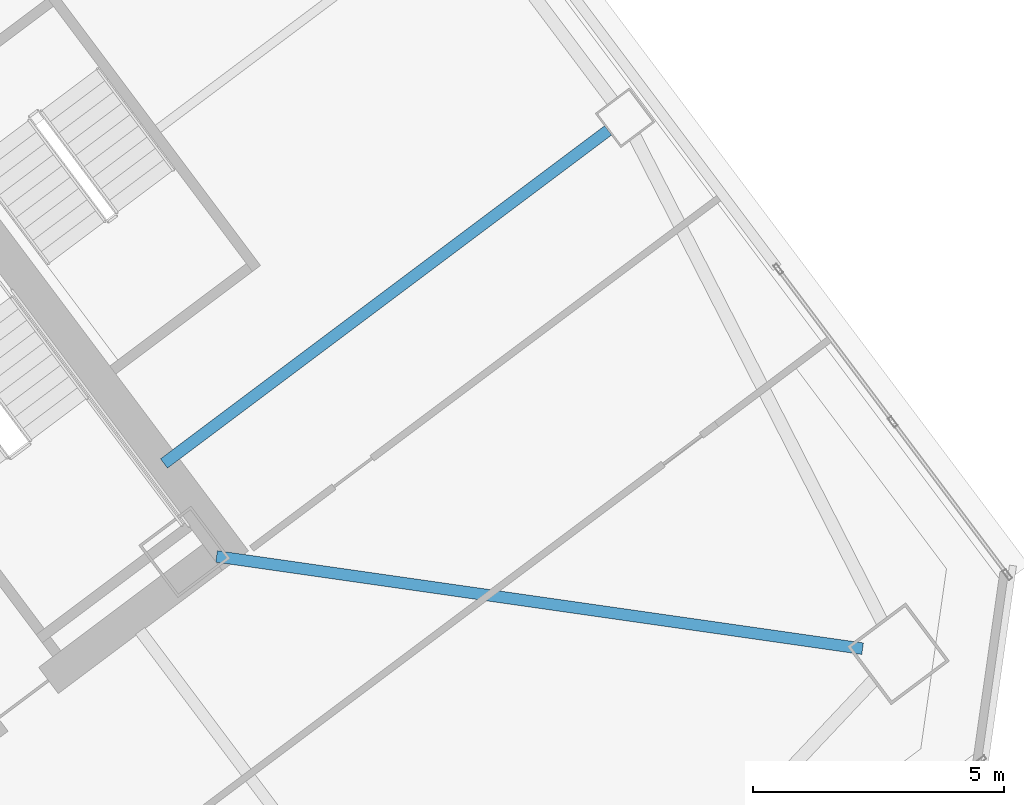
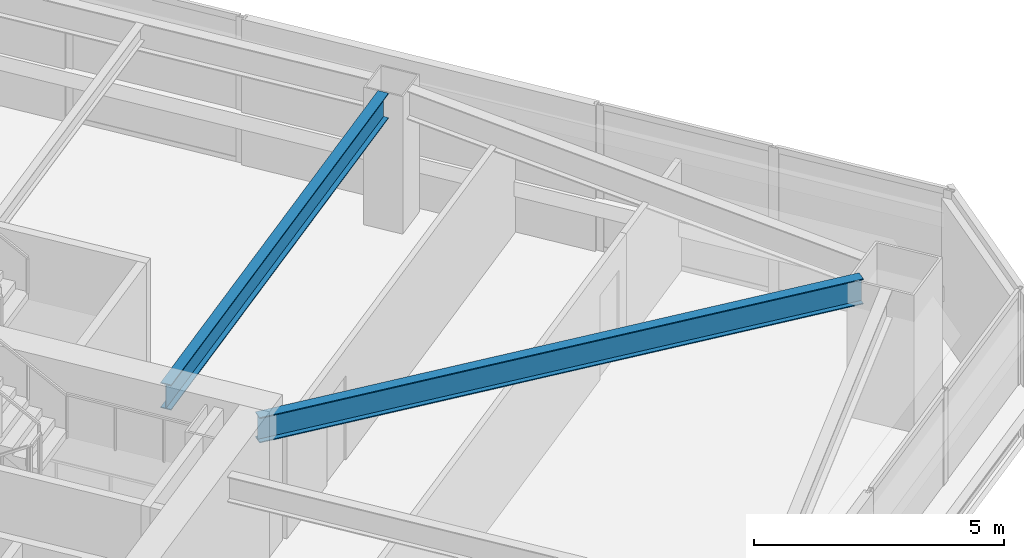
# One storey, part 24 of 44: 2 beams.
"""IFC4 building model written with IfcOpenShell, lengths in metres."""

import ifcopenshell
import ifcopenshell.guid

model = None  # the IFC model being written
_history = None  # IfcOwnerHistory: only IFC2X3 demands one
_inside = {}  # id of a spatial element -> (the spatial element, [elements in it])
_under = {}  # id of a project, library or spatial element -> (it, [spatial elements below it])
_declared = {}  # id of a project -> (the project, [libraries it declares])
_typed = {}  # id of a type object -> (the type object, [elements of that type])
_made_of = {}  # id of a material, layer set ... -> (it, [elements and type objects made of it])


def new_model(schema):
    """Start an empty IFC model of exactly this schema.

    Asked for "IFC4X3", IfcOpenShell would pick the latest addendum, in which some entities
    have other attributes; the version numbers below select the first issue.
    IFC2X3 requires an IfcOwnerHistory on every rooted entity: one is made here for all.
    """
    global model, _history
    if schema == "IFC4X3":
        model = ifcopenshell.file(schema_version=(4, 3, 0, 0))
    else:
        model = ifcopenshell.file(schema=schema)
    _inside.clear()
    _under.clear()
    _declared.clear()
    _typed.clear()
    _made_of.clear()
    _history = None
    if model.schema == "IFC2X3":
        org = make("IfcOrganization", Name="unknown")
        user = make(
            "IfcPersonAndOrganization",
            ThePerson=make("IfcPerson", FamilyName="unknown"),
            TheOrganization=org,
        )
        app = make(
            "IfcApplication",
            ApplicationDeveloper=org,
            Version="unknown",
            ApplicationFullName="unknown",
            ApplicationIdentifier="unknown",
        )
        _history = make(
            "IfcOwnerHistory",
            OwningUser=user,
            OwningApplication=app,
            ChangeAction="ADDED",
            CreationDate=0,
        )
    return model


def make(cls, **values):
    """One entity of the class cls with the attributes given. An attribute that is None is left unset."""
    return model.create_entity(
        cls, **{name: value for name, value in values.items() if value is not None}
    )


def rooted(cls, **values):
    """An entity with a GlobalId (a new one), such as an element, a storey or a relation."""
    return make(cls, GlobalId=ifcopenshell.guid.new(), OwnerHistory=_history, **values)


def si_unit(unit_type, name, prefix=None):
    """IfcSIUnit, for example si_unit("LENGTHUNIT", "METRE", prefix="MILLI")."""
    return make("IfcSIUnit", UnitType=unit_type, Prefix=prefix, Name=name)


def assignment(units):
    """IfcUnitAssignment: the units of a project."""
    return None if units is None else make("IfcUnitAssignment", Units=units)


def point(xyz):
    """IfcCartesianPoint."""
    return None if xyz is None else make("IfcCartesianPoint", Coordinates=xyz)


def direction(xyz):
    """IfcDirection."""
    return None if xyz is None else make("IfcDirection", DirectionRatios=xyz)


def frame(location, z_axis=None, x_axis=None):
    """IfcAxis2Placement3D, a coordinate frame: its origin and axes. An axis left out is left unset."""
    return make(
        "IfcAxis2Placement3D",
        Location=point(location),
        Axis=direction(z_axis),
        RefDirection=direction(x_axis),
    )


def frame_2d(location, x_axis=None):
    """IfcAxis2Placement2D, a coordinate frame in the plane: its origin and x axis."""
    return make(
        "IfcAxis2Placement2D", Location=point(location), RefDirection=direction(x_axis)
    )


def origin():
    """The frame at (0, 0, 0) with its axes left unset."""
    return frame((0.0, 0.0, 0.0))


def origin_2d():
    """The frame at (0, 0) in the plane with its x axis left unset."""
    return frame_2d((0.0, 0.0))


def place(relative_to, where):
    """IfcLocalPlacement: puts the frame where relative to a parent placement (None: the world)."""
    return make(
        "IfcLocalPlacement", PlacementRelTo=relative_to, RelativePlacement=where
    )


def context(
    kind, dimensions, precision=None, world=None, true_north=None, identifier=None
):
    """IfcGeometricRepresentationContext, for example the 3D "Model" context."""
    return make(
        "IfcGeometricRepresentationContext",
        ContextIdentifier=identifier,
        ContextType=kind,
        CoordinateSpaceDimension=dimensions,
        Precision=precision,
        WorldCoordinateSystem=world,
        TrueNorth=true_north,
    )


def subcontext(parent, identifier, kind, view, scale=None):
    """IfcGeometricRepresentationSubContext, for example "Body" below "Model"."""
    return make(
        "IfcGeometricRepresentationSubContext",
        ContextIdentifier=identifier,
        ContextType=kind,
        ParentContext=parent,
        TargetScale=scale,
        TargetView=view,
    )


def project(units=None, contexts=None):
    """IfcProject with its units and contexts."""
    return rooted(
        "IfcProject",
        Name="project",
        RepresentationContexts=contexts,
        UnitsInContext=assignment(units),
    )


def spatial(cls, under=None, at=None, **own):
    """A site, building, storey or space (cls), placed at a placement, below another one or the project."""
    s = rooted(cls, ObjectPlacement=at, **own)
    if under is not None:
        _under.setdefault(under.id(), (under, []))[1].append(s)
    return s


def profile(cls, at=None, kind="AREA", **sizes):
    """A parametric profile (cls). Its sizes go by their IFC names, for example OverallWidth=200.0."""
    return make(cls, ProfileType=kind, Position=at, **sizes)


def i_section(**sizes):
    """IfcIShapeProfileDef."""
    return profile("IfcIShapeProfileDef", **sizes)


def extrude(swept, where, along, depth):
    """IfcExtrudedAreaSolid: the profile swept, set in the frame where, extruded along a direction by depth."""
    return make(
        "IfcExtrudedAreaSolid",
        SweptArea=swept,
        Position=where,
        ExtrudedDirection=direction(along),
        Depth=depth,
    )


def shape(context_of_items, identifier, shape_type, items):
    """IfcShapeRepresentation: the items that make up one representation, for example the "Body"."""
    return make(
        "IfcShapeRepresentation",
        ContextOfItems=context_of_items,
        RepresentationIdentifier=identifier,
        RepresentationType=shape_type,
        Items=items,
    )


def material(Name=None, Category=None):
    """IfcMaterial."""
    return make("IfcMaterial", Name=Name, Category=Category)


def material_profile(
    of_material, cross_section, Name=None, Category=None, Priority=None
):
    """IfcMaterialProfile: a cross section and its material."""
    return make(
        "IfcMaterialProfile",
        Name=Name,
        Material=of_material,
        Profile=cross_section,
        Priority=Priority,
        Category=Category,
    )


def profile_set(profiles, Name=None, composite=None):
    """IfcMaterialProfileSet."""
    return make(
        "IfcMaterialProfileSet",
        Name=Name,
        MaterialProfiles=profiles,
        CompositeProfile=composite,
    )


def made_of(thing, what):
    """Note that an element or type object is made of a material, layer set ...; save() writes the relation."""
    if what is not None:
        _made_of.setdefault(what.id(), (what, []))[1].append(thing)
    return thing


def type_object(cls, material=None, **own):
    """A type object (cls), such as IfcWallType, which elements share."""
    return made_of(rooted(cls, **own), material)


def element(
    cls,
    number,
    at=None,
    inside=None,
    cuts=None,
    type_object=None,
    material=None,
    context=None,
    identifier="Body",
    shape_type=None,
    held_by="IfcProductDefinitionShape",
    body=None,
    shapes=None,
    **own,
):
    """One element of the class cls, such as IfcWall. Its Tag is "e" and its number.

    at: its placement. inside: the storey or other place that contains it. cuts: it is an
    opening in that element (IfcRelVoidsElement). A single representation is given by context,
    identifier, shape_type and body (its items); several are given by shapes. held_by: the class
    of the entity that holds the representations. save() writes the other relations.
    """
    e = rooted(cls, Tag="e%d" % number, ObjectPlacement=at, **own)
    if body is not None:
        shapes = [shape(context, identifier, shape_type, body)]
    if shapes is not None:
        e.Representation = make(held_by, Representations=shapes)
    if inside is not None:
        _inside.setdefault(inside.id(), (inside, []))[1].append(e)
    if cuts is not None:
        rooted(
            "IfcRelVoidsElement", RelatingBuildingElement=cuts, RelatedOpeningElement=e
        )
    if type_object is not None:
        _typed.setdefault(type_object.id(), (type_object, []))[1].append(e)
    return made_of(e, material)


def aggregate(whole, parts):
    """IfcRelAggregates: a whole, such as a stair, and the parts it consists of."""
    return rooted("IfcRelAggregates", RelatingObject=whole, RelatedObjects=parts)


def save(model, path):
    """Write the relations noted so far, then the file.

    IfcRelAggregates (storeys below a building ...), IfcRelContainedInSpatialStructure (elements
    in a storey), IfcRelDefinesByType, IfcRelAssociatesMaterial and IfcRelDeclares: one each for
    every whole, place, type object, material and project.
    """
    for whole, parts in _under.values():
        aggregate(whole, parts)
    for where, things in _inside.values():
        rooted(
            "IfcRelContainedInSpatialStructure",
            RelatedElements=things,
            RelatingStructure=where,
        )
    for kind, things in _typed.values():
        rooted("IfcRelDefinesByType", RelatedObjects=things, RelatingType=kind)
    for what, things in _made_of.values():
        rooted("IfcRelAssociatesMaterial", RelatedObjects=things, RelatingMaterial=what)
    for by, libraries in _declared.values():
        rooted("IfcRelDeclares", RelatingContext=by, RelatedDefinitions=libraries)
    model.write(path)


model = new_model("IFC4")

# Units and contexts
model_context = context("Model", 3, precision=1e-05, world=origin(), true_north=direction((0.0, 1.0)))
body_context = subcontext(model_context, "Body", "Model", "MODEL_VIEW")
ifc_project = project(units=[si_unit("LENGTHUNIT", "METRE"), si_unit("AREAUNIT", "SQUARE_METRE"), si_unit("VOLUMEUNIT", "CUBIC_METRE"), si_unit("PLANEANGLEUNIT", "RADIAN"), si_unit("MASSUNIT", "GRAM", prefix="KILO")], contexts=[model_context])

# Site, building, storey
site_placement = place(None, origin())
site = spatial("IfcSite", under=ifc_project, at=site_placement, CompositionType="ELEMENT")
building_placement = place(site_placement, origin())
building = spatial("IfcBuilding", under=site, at=building_placement, Name="Tashvorn Skyway Center", CompositionType="ELEMENT")
storey_placement = place(building_placement, frame((0.0, 0.0, 92.050048828125)))
storey = spatial("IfcBuildingStorey", under=building, at=storey_placement, Name="L24", CompositionType="ELEMENT", Elevation=92.050048828125)

# Beams
ifc_material = material(Name="Steel ASTM A992 Grade 50", Category="steel")
ifc_material_profile = material_profile(ifc_material, i_section(OverallWidth=0.22998046875, OverallDepth=0.616943359375, WebThickness=0.01318359375, FlangeThickness=0.022216796875, at=origin_2d()), Name="W24X94")
ifc_profile_set = profile_set([ifc_material_profile], Name="Steel ASTM A992 Grade 50")
beam_type = type_object("IfcBeamType", Name="BM-BEAM-W24X94", PredefinedType="BEAM", material=ifc_profile_set)
beam_1_placement = place(storey_placement, frame((137.3671875, 28.661865234375, 3.04150390625), z_axis=(-0.989949869571, 0.141418724841, 0.0), x_axis=(-0.141418724841, -0.989949869571, 0.0)))
element("IfcBeam", 1, at=beam_1_placement, inside=storey, type_object=beam_type, Name="Tower 2 L24 Primary Floor Girder MC-SE", PredefinedType="BEAM", context=body_context, shape_type="SweptSolid", body=[
    extrude(i_section(OverallWidth=0.22998046875, OverallDepth=0.616943359375, WebThickness=0.01318359375, FlangeThickness=0.022216796875, at=origin_2d()), origin(), (0.0, 0.0, 1.0), 12.9892578125),
])
beam_2_placement = place(storey_placement, frame((132.303955078125, 38.97802734375, 3.04150390625), z_axis=(-0.799989394625, -0.60001414024, 0.0), x_axis=(0.60001414024, -0.799989394625, 0.0)))
element("IfcBeam", 2, at=beam_2_placement, inside=storey, type_object=beam_type, Name="Tower 2 L24 Primary Floor Girder FC-E1", PredefinedType="BEAM", context=body_context, shape_type="SweptSolid", body=[
    extrude(i_section(OverallWidth=0.22998046875, OverallDepth=0.616943359375, WebThickness=0.01318359375, FlangeThickness=0.022216796875, at=origin_2d()), origin(), (0.0, 0.0, 1.0), 11.050048828125),
])

save(model, "model.ifc")
